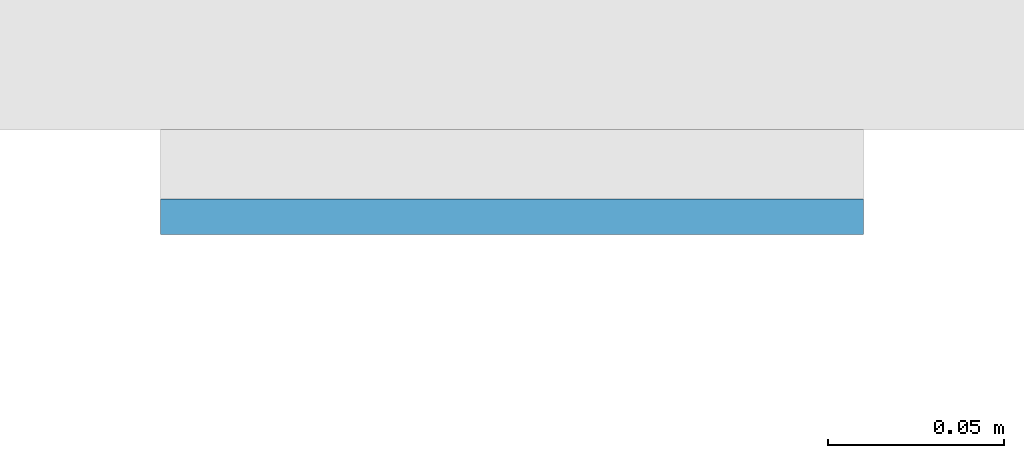
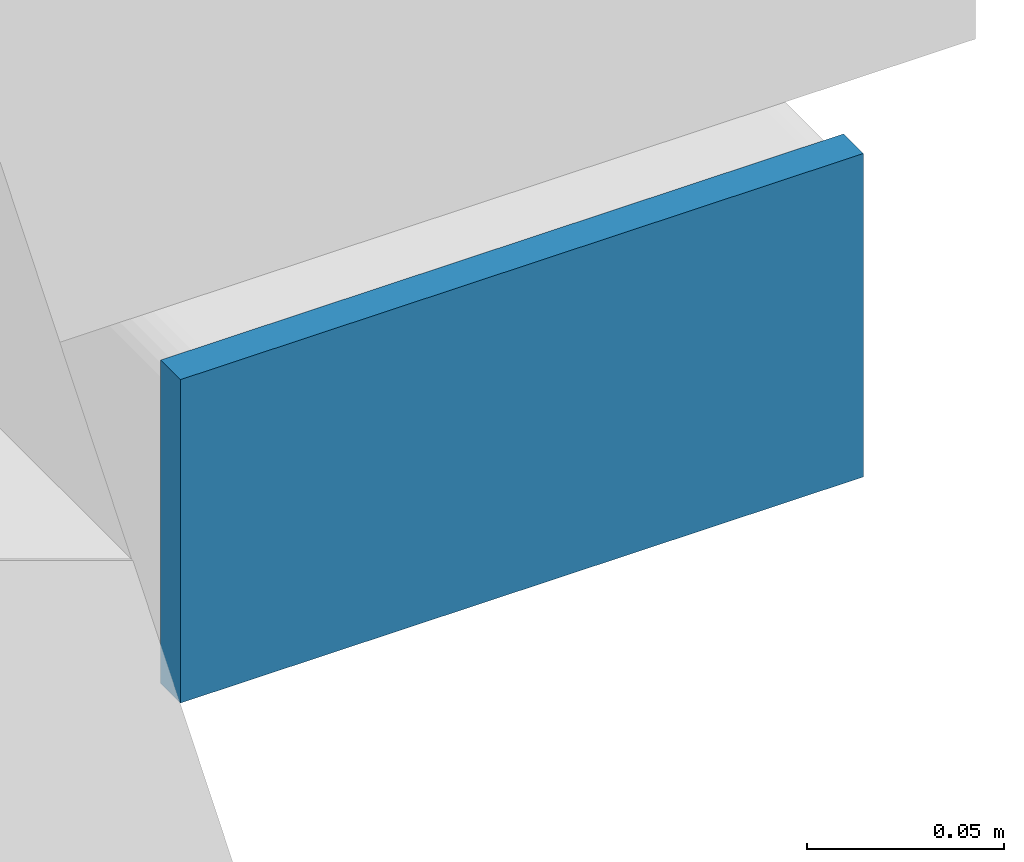
# One storey, part 10 of 20: 1 plate.
"""IFC4 building model written with IfcOpenShell, lengths in metres."""

import ifcopenshell
import ifcopenshell.guid

model = None  # the IFC model being written
_history = None  # IfcOwnerHistory: only IFC2X3 demands one
_inside = {}  # id of a spatial element -> (the spatial element, [elements in it])
_under = {}  # id of a project, library or spatial element -> (it, [spatial elements below it])
_declared = {}  # id of a project -> (the project, [libraries it declares])
_typed = {}  # id of a type object -> (the type object, [elements of that type])
_made_of = {}  # id of a material, layer set ... -> (it, [elements and type objects made of it])


def new_model(schema):
    """Start an empty IFC model of exactly this schema.

    Asked for "IFC4X3", IfcOpenShell would pick the latest addendum, in which some entities
    have other attributes; the version numbers below select the first issue.
    IFC2X3 requires an IfcOwnerHistory on every rooted entity: one is made here for all.
    """
    global model, _history
    if schema == "IFC4X3":
        model = ifcopenshell.file(schema_version=(4, 3, 0, 0))
    else:
        model = ifcopenshell.file(schema=schema)
    _inside.clear()
    _under.clear()
    _declared.clear()
    _typed.clear()
    _made_of.clear()
    _history = None
    if model.schema == "IFC2X3":
        org = make("IfcOrganization", Name="unknown")
        user = make(
            "IfcPersonAndOrganization",
            ThePerson=make("IfcPerson", FamilyName="unknown"),
            TheOrganization=org,
        )
        app = make(
            "IfcApplication",
            ApplicationDeveloper=org,
            Version="unknown",
            ApplicationFullName="unknown",
            ApplicationIdentifier="unknown",
        )
        _history = make(
            "IfcOwnerHistory",
            OwningUser=user,
            OwningApplication=app,
            ChangeAction="ADDED",
            CreationDate=0,
        )
    return model


def make(cls, **values):
    """One entity of the class cls with the attributes given. An attribute that is None is left unset."""
    return model.create_entity(
        cls, **{name: value for name, value in values.items() if value is not None}
    )


def rooted(cls, **values):
    """An entity with a GlobalId (a new one), such as an element, a storey or a relation."""
    return make(cls, GlobalId=ifcopenshell.guid.new(), OwnerHistory=_history, **values)


def si_unit(unit_type, name, prefix=None):
    """IfcSIUnit, for example si_unit("LENGTHUNIT", "METRE", prefix="MILLI")."""
    return make("IfcSIUnit", UnitType=unit_type, Prefix=prefix, Name=name)


def assignment(units):
    """IfcUnitAssignment: the units of a project."""
    return None if units is None else make("IfcUnitAssignment", Units=units)


def point(xyz):
    """IfcCartesianPoint."""
    return None if xyz is None else make("IfcCartesianPoint", Coordinates=xyz)


def direction(xyz):
    """IfcDirection."""
    return None if xyz is None else make("IfcDirection", DirectionRatios=xyz)


def frame(location, z_axis=None, x_axis=None):
    """IfcAxis2Placement3D, a coordinate frame: its origin and axes. An axis left out is left unset."""
    return make(
        "IfcAxis2Placement3D",
        Location=point(location),
        Axis=direction(z_axis),
        RefDirection=direction(x_axis),
    )


def frame_2d(location, x_axis=None):
    """IfcAxis2Placement2D, a coordinate frame in the plane: its origin and x axis."""
    return make(
        "IfcAxis2Placement2D", Location=point(location), RefDirection=direction(x_axis)
    )


def origin():
    """The frame at (0, 0, 0) with its axes left unset."""
    return frame((0.0, 0.0, 0.0))


def origin_2d():
    """The frame at (0, 0) in the plane with its x axis left unset."""
    return frame_2d((0.0, 0.0))


def place(relative_to, where):
    """IfcLocalPlacement: puts the frame where relative to a parent placement (None: the world)."""
    return make(
        "IfcLocalPlacement", PlacementRelTo=relative_to, RelativePlacement=where
    )


def context(
    kind, dimensions, precision=None, world=None, true_north=None, identifier=None
):
    """IfcGeometricRepresentationContext, for example the 3D "Model" context."""
    return make(
        "IfcGeometricRepresentationContext",
        ContextIdentifier=identifier,
        ContextType=kind,
        CoordinateSpaceDimension=dimensions,
        Precision=precision,
        WorldCoordinateSystem=world,
        TrueNorth=true_north,
    )


def subcontext(parent, identifier, kind, view, scale=None):
    """IfcGeometricRepresentationSubContext, for example "Body" below "Model"."""
    return make(
        "IfcGeometricRepresentationSubContext",
        ContextIdentifier=identifier,
        ContextType=kind,
        ParentContext=parent,
        TargetScale=scale,
        TargetView=view,
    )


def project(units=None, contexts=None):
    """IfcProject with its units and contexts."""
    return rooted(
        "IfcProject",
        Name="project",
        RepresentationContexts=contexts,
        UnitsInContext=assignment(units),
    )


def spatial(cls, under=None, at=None, **own):
    """A site, building, storey or space (cls), placed at a placement, below another one or the project."""
    s = rooted(cls, ObjectPlacement=at, **own)
    if under is not None:
        _under.setdefault(under.id(), (under, []))[1].append(s)
    return s


def profile(cls, at=None, kind="AREA", **sizes):
    """A parametric profile (cls). Its sizes go by their IFC names, for example OverallWidth=200.0."""
    return make(cls, ProfileType=kind, Position=at, **sizes)


def rectangle(**sizes):
    """IfcRectangleProfileDef."""
    return profile("IfcRectangleProfileDef", **sizes)


def extrude(swept, where, along, depth):
    """IfcExtrudedAreaSolid: the profile swept, set in the frame where, extruded along a direction by depth."""
    return make(
        "IfcExtrudedAreaSolid",
        SweptArea=swept,
        Position=where,
        ExtrudedDirection=direction(along),
        Depth=depth,
    )


def shape(context_of_items, identifier, shape_type, items):
    """IfcShapeRepresentation: the items that make up one representation, for example the "Body"."""
    return make(
        "IfcShapeRepresentation",
        ContextOfItems=context_of_items,
        RepresentationIdentifier=identifier,
        RepresentationType=shape_type,
        Items=items,
    )


def material(Name=None, Category=None):
    """IfcMaterial."""
    return make("IfcMaterial", Name=Name, Category=Category)


def layer(
    of_material, thickness, ventilated=None, Name=None, Category=None, Priority=None
):
    """IfcMaterialLayer: one layer of a wall or slab, of a material (None: an air gap)."""
    return make(
        "IfcMaterialLayer",
        Material=of_material,
        LayerThickness=thickness,
        IsVentilated=ventilated,
        Name=Name,
        Category=Category,
        Priority=Priority,
    )


def layer_set(layers, Name=None):
    """IfcMaterialLayerSet."""
    return make("IfcMaterialLayerSet", MaterialLayers=layers, LayerSetName=Name)


def made_of(thing, what):
    """Note that an element or type object is made of a material, layer set ...; save() writes the relation."""
    if what is not None:
        _made_of.setdefault(what.id(), (what, []))[1].append(thing)
    return thing


def type_object(cls, material=None, **own):
    """A type object (cls), such as IfcWallType, which elements share."""
    return made_of(rooted(cls, **own), material)


def element(
    cls,
    number,
    at=None,
    inside=None,
    cuts=None,
    type_object=None,
    material=None,
    context=None,
    identifier="Body",
    shape_type=None,
    held_by="IfcProductDefinitionShape",
    body=None,
    shapes=None,
    **own,
):
    """One element of the class cls, such as IfcWall. Its Tag is "e" and its number.

    at: its placement. inside: the storey or other place that contains it. cuts: it is an
    opening in that element (IfcRelVoidsElement). A single representation is given by context,
    identifier, shape_type and body (its items); several are given by shapes. held_by: the class
    of the entity that holds the representations. save() writes the other relations.
    """
    e = rooted(cls, Tag="e%d" % number, ObjectPlacement=at, **own)
    if body is not None:
        shapes = [shape(context, identifier, shape_type, body)]
    if shapes is not None:
        e.Representation = make(held_by, Representations=shapes)
    if inside is not None:
        _inside.setdefault(inside.id(), (inside, []))[1].append(e)
    if cuts is not None:
        rooted(
            "IfcRelVoidsElement", RelatingBuildingElement=cuts, RelatedOpeningElement=e
        )
    if type_object is not None:
        _typed.setdefault(type_object.id(), (type_object, []))[1].append(e)
    return made_of(e, material)


def aggregate(whole, parts):
    """IfcRelAggregates: a whole, such as a stair, and the parts it consists of."""
    return rooted("IfcRelAggregates", RelatingObject=whole, RelatedObjects=parts)


def save(model, path):
    """Write the relations noted so far, then the file.

    IfcRelAggregates (storeys below a building ...), IfcRelContainedInSpatialStructure (elements
    in a storey), IfcRelDefinesByType, IfcRelAssociatesMaterial and IfcRelDeclares: one each for
    every whole, place, type object, material and project.
    """
    for whole, parts in _under.values():
        aggregate(whole, parts)
    for where, things in _inside.values():
        rooted(
            "IfcRelContainedInSpatialStructure",
            RelatedElements=things,
            RelatingStructure=where,
        )
    for kind, things in _typed.values():
        rooted("IfcRelDefinesByType", RelatedObjects=things, RelatingType=kind)
    for what, things in _made_of.values():
        rooted("IfcRelAssociatesMaterial", RelatedObjects=things, RelatingMaterial=what)
    for by, libraries in _declared.values():
        rooted("IfcRelDeclares", RelatingContext=by, RelatedDefinitions=libraries)
    model.write(path)


model = new_model("IFC4")

# Units and contexts
model_context = context("Model", 3, precision=1e-05, world=origin(), true_north=direction((0.0, 1.0)))
body_context = subcontext(model_context, "Body", "Model", "MODEL_VIEW")
ifc_project = project(units=[si_unit("LENGTHUNIT", "METRE"), si_unit("AREAUNIT", "SQUARE_METRE"), si_unit("VOLUMEUNIT", "CUBIC_METRE"), si_unit("PLANEANGLEUNIT", "RADIAN"), si_unit("MASSUNIT", "GRAM", prefix="KILO")], contexts=[model_context])

# Site, building, storey
site_placement = place(None, origin())
site = spatial("IfcSite", under=ifc_project, at=site_placement, CompositionType="ELEMENT")
building_placement = place(site_placement, origin())
building = spatial("IfcBuilding", under=site, at=building_placement, Name="Cleftline Residences", CompositionType="ELEMENT")
storey_placement = place(building_placement, frame((0.0, 0.0, 207.39990234375)))
storey = spatial("IfcBuildingStorey", under=building, at=storey_placement, Name="L54", CompositionType="ELEMENT", Elevation=207.39990234375)

# Plate
ifc_material = material(Name="Steel S355, hot-dip galvanised", Category="steel")
ifc_layer = layer(ifc_material, 0.010009765625)
ifc_layer_set = layer_set([ifc_layer], Name="BAGUETTE CARRIER END PLATE 200X100X10")
plate_type = type_object("IfcPlateType", Name="BAGUETTE CARRIER END PLATE 200X100X10", PredefinedType="USERDEFINED", material=ifc_layer_set)
plate_placement = place(storey_placement, frame((66.85009765625, 3.695068359375, -0.099853515625), z_axis=(0.0, 0.0, 1.0), x_axis=(1.0, 0.0, 0.0)))
element("IfcPlate", 1, at=plate_placement, inside=storey, type_object=plate_type, Name="Baguette carrier end plate", ObjectType="BAGUETTE CARRIER END PLATE", PredefinedType="USERDEFINED", context=body_context, shape_type="SweptSolid", body=[
    extrude(rectangle(XDim=0.199951171875, YDim=0.010009765625, at=origin_2d()), origin(), (0.0, 0.0, 1.0), 0.10009765625),
])

save(model, "model.ifc")
